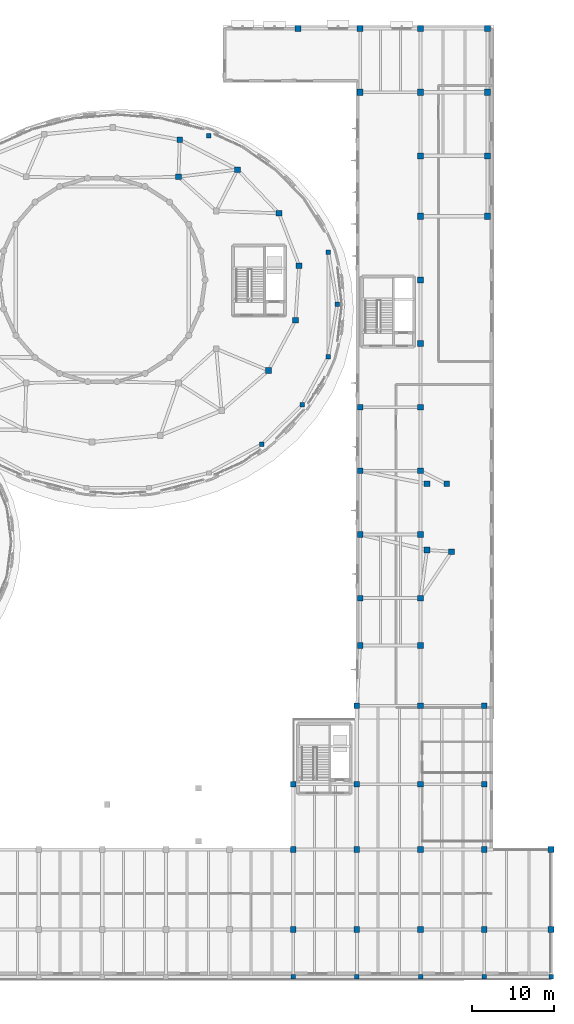
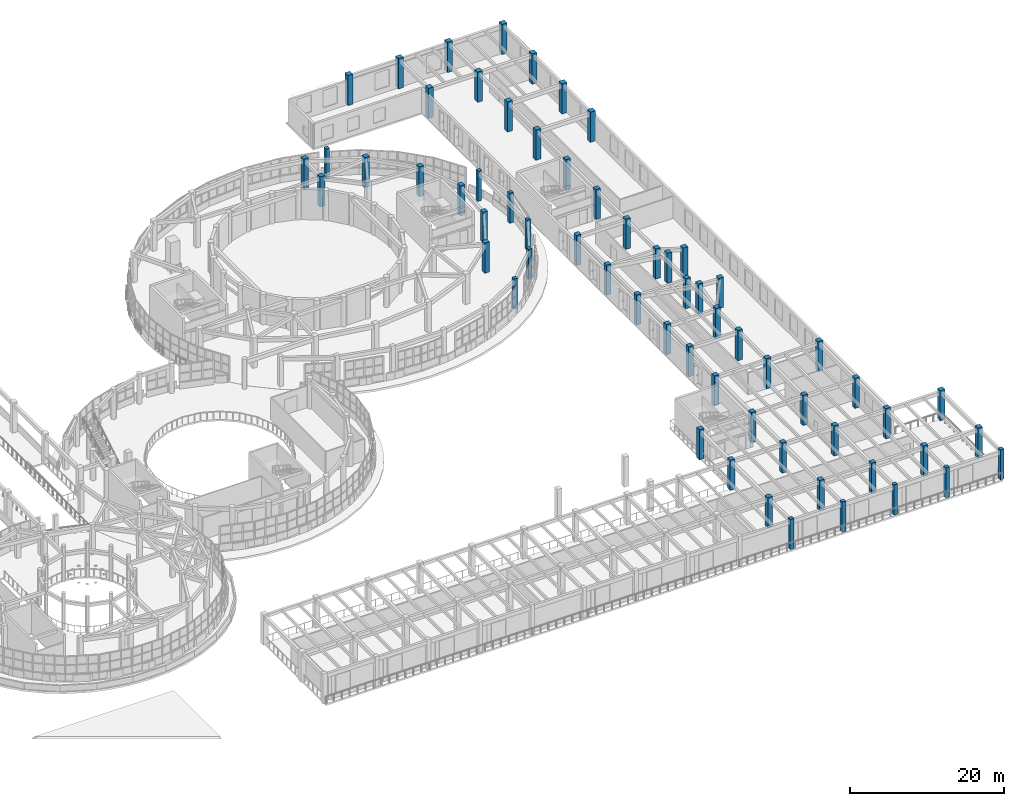
# One storey, part 2 of 98: 62 columns.
"""IFC4 building model written with IfcOpenShell, lengths in metres."""

from ifc_helpers import new_model, si_unit, direction, frame, origin, origin_2d, place, context, subcontext, project, spatial, rectangle, extrude, material, material_profile, profile_set, type_object, element, save


model = new_model("IFC4")

# Units and contexts
model_context = context("Model", 3, precision=1e-05, world=origin(), true_north=direction((0.0, 1.0)))
body_context = subcontext(model_context, "Body", "Model", "MODEL_VIEW")
ifc_project = project(units=[si_unit("LENGTHUNIT", "METRE"), si_unit("AREAUNIT", "SQUARE_METRE"), si_unit("VOLUMEUNIT", "CUBIC_METRE"), si_unit("PLANEANGLEUNIT", "RADIAN"), si_unit("MASSUNIT", "GRAM", prefix="KILO")], contexts=[model_context])

# Site, building, storey
site_placement = place(None, origin())
site = spatial("IfcSite", under=ifc_project, at=site_placement, CompositionType="ELEMENT")
building_placement = place(site_placement, origin())
building = spatial("IfcBuilding", under=site, at=building_placement, Name="Pelvatis Terrace Science Centre", CompositionType="ELEMENT")
storey_placement = place(building_placement, frame((0.0, 0.0, 5.39990234375)))
storey = spatial("IfcBuildingStorey", under=building, at=storey_placement, Name="L01", CompositionType="ELEMENT", Elevation=5.39990234375)

# Columns
ifc_material_1 = material(Name="Concrete C40/50", Category="concrete")
ifc_material_profile_1 = material_profile(ifc_material_1, rectangle(XDim=0.550048828125, YDim=0.550048828125, at=origin_2d()), Name="RC-COL 550x550")
ifc_profile_set_1 = profile_set([ifc_material_profile_1], Name="Concrete C40/50")
column_type_1 = type_object("IfcColumnType", Name="COL-RC-550x550", PredefinedType="COLUMN", material=ifc_profile_set_1)
for number, where, z_axis, x_axis, name in (
    (1, (138.0, 82.800048828125, 0.0), (0.0, 0.0, 1.0), (1.0, 0.0, 0.0), "Column V1E-ST-01 (L01)"),
    (2, (136.910400390625, 89.1953125, 0.0), (0.0, 0.0, 1.0), (1.0, 0.0, 0.0), "Column V1E-ST-02 (L01)"),
    (3, (122.274658203125, 103.448486328125, 0.0), (0.0, 0.0, 1.0), (1.0, 0.0, 0.0), "Column V1E-ST-05 (L01)"),
    (4, (128.7158203125, 65.64453125, 0.0), (0.0, 0.0, 1.0), (1.0, 0.0, 0.0), "Column V1E-ST-20 (L01)"),
    (5, (133.729736328125, 70.527587890625, 0.0), (0.0, 0.0, 1.0), (1.0, 0.0, 0.0), "Column V1E-ST-21 (L01)"),
    (6, (136.910400390625, 76.40478515625, 0.0), (0.0, 0.0, 1.0), (1.0, 0.0, 0.0), "Column V1E-ST-22 (L01)"),
    (7, (132.60009765625, 0.39990234375, 0.0), (0.0, 0.0, 1.0), (1.0, 0.0, 0.0), "Column V5G-S-10-1 (L01)"),
    (8, (140.39990234375, 0.39990234375, 0.0), (0.0, 0.0, 1.0), (1.0, 0.0, 0.0), "Column V5G-S-11-1 (L01)"),
    (9, (148.199951171875, 0.39990234375, 0.0), (0.0, 0.0, 1.0), (1.0, 0.0, 0.0), "Column V5G-S-12-1 (L01)"),
    (10, (156.0, 0.39990234375, 0.0), (0.0, 0.0, 1.0), (1.0, 0.0, 0.0), "Column V5G-S-13-1 (L01)"),
    (11, (164.199951171875, 0.39990234375, 0.0), (0.0, 0.0, 1.0), (1.0, 0.0, 0.0), "Column V5G-S-14-1 (L01)"),
):
    element("IfcColumn", number, at=place(storey_placement, frame(where, z_axis=z_axis, x_axis=x_axis)), inside=storey, type_object=column_type_1, Name=name, PredefinedType="COLUMN", context=body_context, shape_type="SweptSolid", body=[
        extrude(rectangle(XDim=0.550048828125, YDim=0.550048828125, at=origin_2d()), origin(), (0.0, 0.0, 1.0), 4.800048828125),
    ])
ifc_material_2 = material(Name="Concrete C40/50", Category="concrete")
ifc_material_profile_2 = material_profile(ifc_material_2, rectangle(XDim=0.699951171875, YDim=0.699951171875, at=origin_2d()), Name="RC-COL 700x700")
ifc_profile_set_2 = profile_set([ifc_material_profile_2], Name="Concrete C40/50")
column_type_2 = type_object("IfcColumnType", Name="COL-RC-700x700", PredefinedType="COLUMN", material=ifc_profile_set_2)
for number, where, z_axis, x_axis, name in (
    (12, (133.31884765625, 87.552001953125, 0.0), (0.0, 0.0, 1.0), (1.0, 0.0, 0.0), "Column V1E-RF-01 (L01)"),
    (13, (130.8515625, 93.9619140625, 0.0), (0.0, 0.0, 1.0), (1.0, 0.0, 0.0), "Column V1E-RF-02 (L01)"),
    (14, (125.772705078125, 99.315185546875, 0.0), (0.0, 0.0, 1.0), (1.0, 0.0, 0.0), "Column V1E-RF-03 (L01)"),
    (15, (118.69482421875, 102.9658203125, 0.0), (0.0, 0.0, 1.0), (1.0, 0.0, 0.0), "Column V1E-RF-04 (L01)"),
    (16, (129.57958984375, 74.6884765625, 0.0), (0.0, 0.0, 1.0), (1.0, 0.0, 0.0), "Column V1E-RF-17 (L01)"),
    (17, (132.877197265625, 80.8583984375, 0.0), (0.0, 0.0, 1.0), (1.0, 0.0, 0.0), "Column V1E-RF-18 (L01)"),
    (18, (118.53369140625, 98.438232421875, 0.0), (0.0, 0.0, 1.0), (1.0, 0.0, 0.0), "Column V1E-IN-03 (L01)"),
    (19, (132.60009765625, 6.199951171875, 0.0), (0.0, 0.0, 1.0), (1.0, 0.0, 0.0), "Column V5G-S-10-2 (L01)"),
    (20, (132.60009765625, 16.0, 0.0), (0.0, 0.0, 1.0), (1.0, 0.0, 0.0), "Column V5G-S-10-3 (L01)"),
    (21, (132.60009765625, 24.0, 0.0), (0.0, 0.0, 1.0), (1.0, 0.0, 0.0), "Column V5G-S-10-4 (L01)"),
    (22, (140.39990234375, 6.199951171875, 0.0), (0.0, 0.0, 1.0), (1.0, 0.0, 0.0), "Column V5G-S-11-2 (L01)"),
    (23, (140.39990234375, 16.0, 0.0), (0.0, 0.0, 1.0), (1.0, 0.0, 0.0), "Column V5G-S-11-3 (L01)"),
    (24, (140.39990234375, 24.0, 0.0), (0.0, 0.0, 1.0), (1.0, 0.0, 0.0), "Column V5G-S-11-4 (L01)"),
    (25, (140.39990234375, 33.60009765625, 0.0), (0.0, 0.0, 1.0), (1.0, 0.0, 0.0), "Column V5G-S-11-5 (L01)"),
    (26, (148.199951171875, 6.199951171875, 0.0), (0.0, 0.0, 1.0), (1.0, 0.0, 0.0), "Column V5G-S-12-2 (L01)"),
    (27, (148.199951171875, 16.0, 0.0), (0.0, 0.0, 1.0), (1.0, 0.0, 0.0), "Column V5G-S-12-3 (L01)"),
    (28, (148.199951171875, 24.0, 0.0), (0.0, 0.0, 1.0), (1.0, 0.0, 0.0), "Column V5G-S-12-4 (L01)"),
    (29, (148.199951171875, 33.60009765625, 0.0), (0.0, 0.0, 1.0), (1.0, 0.0, 0.0), "Column V5G-S-12-5 (L01)"),
    (30, (156.0, 6.199951171875, 0.0), (0.0, 0.0, 1.0), (1.0, 0.0, 0.0), "Column V5G-S-13-2 (L01)"),
    (31, (156.0, 16.0, 0.0), (0.0, 0.0, 1.0), (1.0, 0.0, 0.0), "Column V5G-S-13-3 (L01)"),
    (32, (156.0, 24.0, 0.0), (0.0, 0.0, 1.0), (1.0, 0.0, 0.0), "Column V5G-S-13-4 (L01)"),
    (33, (156.0, 33.60009765625, 0.0), (0.0, 0.0, 1.0), (1.0, 0.0, 0.0), "Column V5G-S-13-5 (L01)"),
    (34, (164.199951171875, 6.199951171875, 0.0), (0.0, 0.0, 1.0), (1.0, 0.0, 0.0), "Column V5G-S-14-2 (L01)"),
    (35, (164.199951171875, 16.0, 0.0), (0.0, 0.0, 1.0), (1.0, 0.0, 0.0), "Column V5G-S-14-3 (L01)"),
    (36, (140.800048828125, 41.0, 0.0), (0.0, 0.0, 1.0), (1.0, 0.0, 0.0), "Column V5G-E-2-1 (L01)"),
    (37, (140.800048828125, 46.800048828125, 0.0), (0.0, 0.0, 1.0), (1.0, 0.0, 0.0), "Column V5G-E-2-2 (L01)"),
    (38, (140.800048828125, 54.60009765625, 0.0), (0.0, 0.0, 1.0), (1.0, 0.0, 0.0), "Column V5G-E-2-3 (L01)"),
    (39, (140.800048828125, 62.39990234375, 0.0), (0.0, 0.0, 1.0), (1.0, 0.0, 0.0), "Column V5G-E-2-4 (L01)"),
    (40, (140.800048828125, 70.199951171875, 0.0), (0.0, 0.0, 1.0), (1.0, 0.0, 0.0), "Column V5G-E-2-5 (L01)"),
    (41, (148.199951171875, 41.0, 0.0), (0.0, 0.0, 1.0), (1.0, 0.0, 0.0), "Column V5G-E-3-1 (L01)"),
    (42, (148.199951171875, 46.800048828125, 0.0), (0.0, 0.0, 1.0), (1.0, 0.0, 0.0), "Column V5G-E-3-2 (L01)"),
    (43, (148.199951171875, 54.60009765625, 0.0), (0.0, 0.0, 1.0), (1.0, 0.0, 0.0), "Column V5G-E-3-3 (L01)"),
    (44, (148.199951171875, 62.39990234375, 0.0), (0.0, 0.0, 1.0), (1.0, 0.0, 0.0), "Column V5G-E-3-4 (L01)"),
    (45, (148.199951171875, 70.199951171875, 0.0), (0.0, 0.0, 1.0), (1.0, 0.0, 0.0), "Column V5G-E-3-5 (L01)"),
    (46, (148.199951171875, 78.0, 0.0), (0.0, 0.0, 1.0), (1.0, 0.0, 0.0), "Column V5G-E-3-6 (L01)"),
    (47, (148.199951171875, 85.800048828125, 0.0), (0.0, 0.0, 1.0), (1.0, 0.0, 0.0), "Column V5G-E-3-7 (L01)"),
    (48, (152.0, 52.5, 0.0), (0.0, 0.0, 1.0), (1.0, 0.0, 0.0), "Column SUPR2-21 (L01)"),
    (49, (149.0, 52.699951171875, 0.0), (0.0, 0.0, 1.0), (1.0, 0.0, 0.0), "Column SUPR2-35 (L01)"),
    (50, (149.0, 60.800048828125, 0.0), (0.0, 0.0, 1.0), (1.0, 0.0, 0.0), "Column SUPR2-37 (L01)"),
    (51, (151.39990234375, 60.800048828125, 0.0), (0.0, 0.0, 1.0), (1.0, 0.0, 0.0), "Column SUPR2-38 (L01)"),
):
    element("IfcColumn", number, at=place(storey_placement, frame(where, z_axis=z_axis, x_axis=x_axis)), inside=storey, type_object=column_type_2, Name=name, PredefinedType="COLUMN", context=body_context, shape_type="SweptSolid", body=[
        extrude(rectangle(XDim=0.699951171875, YDim=0.699951171875, at=origin_2d()), origin(), (0.0, 0.0, 1.0), 4.800048828125),
    ])
ifc_material_3 = material(Name="Concrete C40/50", Category="concrete")
ifc_material_profile_3 = material_profile(ifc_material_3, rectangle(XDim=0.75, YDim=0.75, at=origin_2d()), Name="RC-COL 750x750")
ifc_profile_set_3 = profile_set([ifc_material_profile_3], Name="Concrete C40/50")
column_type_3 = type_object("IfcColumnType", Name="COL-RC-750x750", PredefinedType="COLUMN", material=ifc_profile_set_3)
for number, where, z_axis, x_axis, name in (
    (52, (133.199951171875, 116.60009765625, 0.0), (0.0, 0.0, 1.0), (1.0, 0.0, 0.0), "Column V5G-E-1-11 (L01)"),
    (53, (140.800048828125, 108.800048828125, 0.0), (0.0, 0.0, 1.0), (1.0, 0.0, 0.0), "Column V5G-E-2-10 (L01)"),
    (54, (140.800048828125, 116.60009765625, 0.0), (0.0, 0.0, 1.0), (1.0, 0.0, 0.0), "Column V5G-E-2-11 (L01)"),
    (55, (148.199951171875, 93.60009765625, 0.0), (0.0, 0.0, 1.0), (1.0, 0.0, 0.0), "Column V5G-E-3-8 (L01)"),
    (56, (148.199951171875, 101.0, 0.0), (0.0, 0.0, 1.0), (1.0, 0.0, 0.0), "Column V5G-E-3-9 (L01)"),
    (57, (148.199951171875, 108.800048828125, 0.0), (0.0, 0.0, 1.0), (1.0, 0.0, 0.0), "Column V5G-E-3-10 (L01)"),
    (58, (148.199951171875, 116.60009765625, 0.0), (0.0, 0.0, 1.0), (1.0, 0.0, 0.0), "Column V5G-E-3-11 (L01)"),
    (59, (156.39990234375, 93.60009765625, 0.0), (0.0, 0.0, 1.0), (1.0, 0.0, 0.0), "Column V5G-E-4-8 (L01)"),
    (60, (156.39990234375, 101.0, 0.0), (0.0, 0.0, 1.0), (1.0, 0.0, 0.0), "Column V5G-E-4-9 (L01)"),
    (61, (156.39990234375, 108.800048828125, 0.0), (0.0, 0.0, 1.0), (1.0, 0.0, 0.0), "Column V5G-E-4-10 (L01)"),
    (62, (156.39990234375, 116.60009765625, 0.0), (0.0, 0.0, 1.0), (1.0, 0.0, 0.0), "Column V5G-E-4-11 (L01)"),
):
    element("IfcColumn", number, at=place(storey_placement, frame(where, z_axis=z_axis, x_axis=x_axis)), inside=storey, type_object=column_type_3, Name=name, PredefinedType="COLUMN", context=body_context, shape_type="SweptSolid", body=[
        extrude(rectangle(XDim=0.75, YDim=0.75, at=origin_2d()), origin(), (0.0, 0.0, 1.0), 4.800048828125),
    ])

save(model, "model.ifc")
